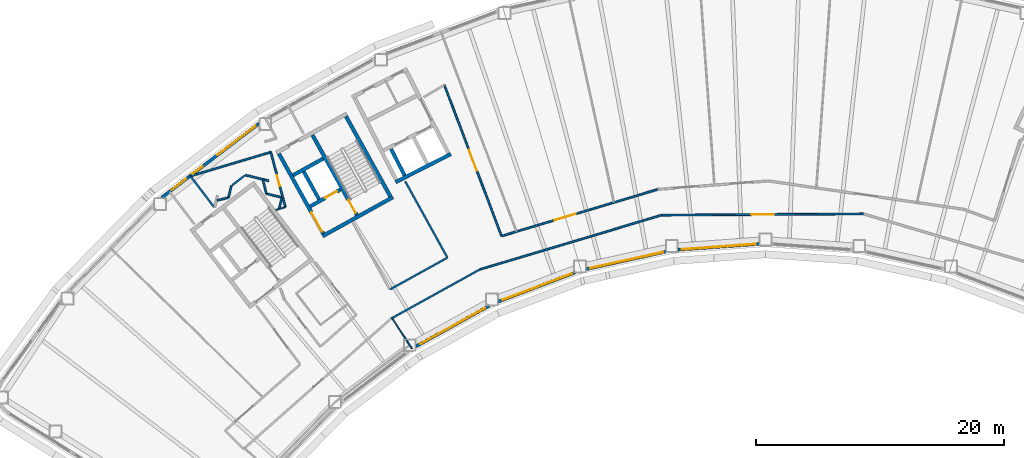
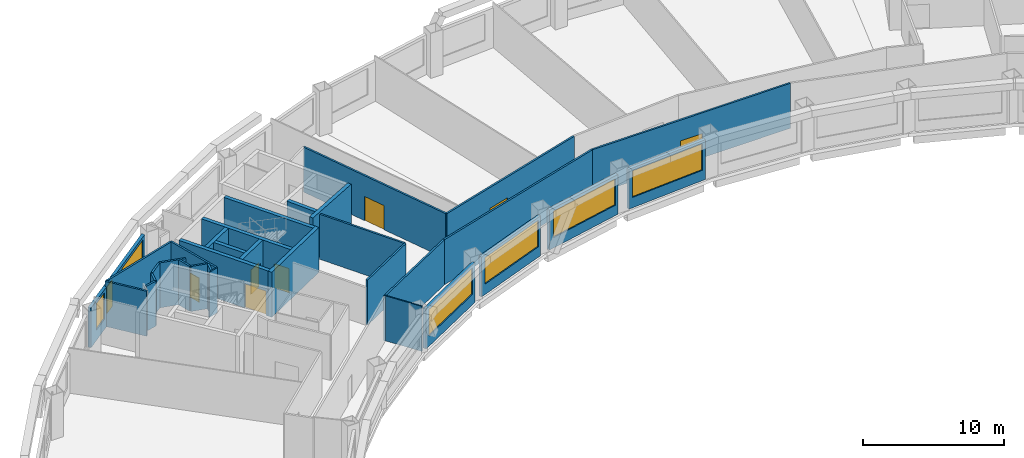
# One storey, part 4 of 11: 33 walls, 7 doors, 7 windows, 14 openings.
"""IFC4 building model written with IfcOpenShell, lengths in metres."""

import ifcopenshell
import ifcopenshell.guid

model = None  # the IFC model being written
_history = None  # IfcOwnerHistory: only IFC2X3 demands one
_inside = {}  # id of a spatial element -> (the spatial element, [elements in it])
_under = {}  # id of a project, library or spatial element -> (it, [spatial elements below it])
_declared = {}  # id of a project -> (the project, [libraries it declares])
_typed = {}  # id of a type object -> (the type object, [elements of that type])
_made_of = {}  # id of a material, layer set ... -> (it, [elements and type objects made of it])


def new_model(schema):
    """Start an empty IFC model of exactly this schema.

    Asked for "IFC4X3", IfcOpenShell would pick the latest addendum, in which some entities
    have other attributes; the version numbers below select the first issue.
    IFC2X3 requires an IfcOwnerHistory on every rooted entity: one is made here for all.
    """
    global model, _history
    if schema == "IFC4X3":
        model = ifcopenshell.file(schema_version=(4, 3, 0, 0))
    else:
        model = ifcopenshell.file(schema=schema)
    _inside.clear()
    _under.clear()
    _declared.clear()
    _typed.clear()
    _made_of.clear()
    _history = None
    if model.schema == "IFC2X3":
        org = make("IfcOrganization", Name="unknown")
        user = make(
            "IfcPersonAndOrganization",
            ThePerson=make("IfcPerson", FamilyName="unknown"),
            TheOrganization=org,
        )
        app = make(
            "IfcApplication",
            ApplicationDeveloper=org,
            Version="unknown",
            ApplicationFullName="unknown",
            ApplicationIdentifier="unknown",
        )
        _history = make(
            "IfcOwnerHistory",
            OwningUser=user,
            OwningApplication=app,
            ChangeAction="ADDED",
            CreationDate=0,
        )
    return model


def make(cls, **values):
    """One entity of the class cls with the attributes given. An attribute that is None is left unset."""
    return model.create_entity(
        cls, **{name: value for name, value in values.items() if value is not None}
    )


def rooted(cls, **values):
    """An entity with a GlobalId (a new one), such as an element, a storey or a relation."""
    return make(cls, GlobalId=ifcopenshell.guid.new(), OwnerHistory=_history, **values)


def si_unit(unit_type, name, prefix=None):
    """IfcSIUnit, for example si_unit("LENGTHUNIT", "METRE", prefix="MILLI")."""
    return make("IfcSIUnit", UnitType=unit_type, Prefix=prefix, Name=name)


def assignment(units):
    """IfcUnitAssignment: the units of a project."""
    return None if units is None else make("IfcUnitAssignment", Units=units)


def point(xyz):
    """IfcCartesianPoint."""
    return None if xyz is None else make("IfcCartesianPoint", Coordinates=xyz)


def direction(xyz):
    """IfcDirection."""
    return None if xyz is None else make("IfcDirection", DirectionRatios=xyz)


def frame(location, z_axis=None, x_axis=None):
    """IfcAxis2Placement3D, a coordinate frame: its origin and axes. An axis left out is left unset."""
    return make(
        "IfcAxis2Placement3D",
        Location=point(location),
        Axis=direction(z_axis),
        RefDirection=direction(x_axis),
    )


def frame_2d(location, x_axis=None):
    """IfcAxis2Placement2D, a coordinate frame in the plane: its origin and x axis."""
    return make(
        "IfcAxis2Placement2D", Location=point(location), RefDirection=direction(x_axis)
    )


def origin():
    """The frame at (0, 0, 0) with its axes left unset."""
    return frame((0.0, 0.0, 0.0))


def place(relative_to, where):
    """IfcLocalPlacement: puts the frame where relative to a parent placement (None: the world)."""
    return make(
        "IfcLocalPlacement", PlacementRelTo=relative_to, RelativePlacement=where
    )


def context(
    kind, dimensions, precision=None, world=None, true_north=None, identifier=None
):
    """IfcGeometricRepresentationContext, for example the 3D "Model" context."""
    return make(
        "IfcGeometricRepresentationContext",
        ContextIdentifier=identifier,
        ContextType=kind,
        CoordinateSpaceDimension=dimensions,
        Precision=precision,
        WorldCoordinateSystem=world,
        TrueNorth=true_north,
    )


def subcontext(parent, identifier, kind, view, scale=None):
    """IfcGeometricRepresentationSubContext, for example "Body" below "Model"."""
    return make(
        "IfcGeometricRepresentationSubContext",
        ContextIdentifier=identifier,
        ContextType=kind,
        ParentContext=parent,
        TargetScale=scale,
        TargetView=view,
    )


def project(units=None, contexts=None):
    """IfcProject with its units and contexts."""
    return rooted(
        "IfcProject",
        Name="project",
        RepresentationContexts=contexts,
        UnitsInContext=assignment(units),
    )


def spatial(cls, under=None, at=None, **own):
    """A site, building, storey or space (cls), placed at a placement, below another one or the project."""
    s = rooted(cls, ObjectPlacement=at, **own)
    if under is not None:
        _under.setdefault(under.id(), (under, []))[1].append(s)
    return s


def profile(cls, at=None, kind="AREA", **sizes):
    """A parametric profile (cls). Its sizes go by their IFC names, for example OverallWidth=200.0."""
    return make(cls, ProfileType=kind, Position=at, **sizes)


def rectangle(**sizes):
    """IfcRectangleProfileDef."""
    return profile("IfcRectangleProfileDef", **sizes)


def extrude(swept, where, along, depth):
    """IfcExtrudedAreaSolid: the profile swept, set in the frame where, extruded along a direction by depth."""
    return make(
        "IfcExtrudedAreaSolid",
        SweptArea=swept,
        Position=where,
        ExtrudedDirection=direction(along),
        Depth=depth,
    )


def shape(context_of_items, identifier, shape_type, items):
    """IfcShapeRepresentation: the items that make up one representation, for example the "Body"."""
    return make(
        "IfcShapeRepresentation",
        ContextOfItems=context_of_items,
        RepresentationIdentifier=identifier,
        RepresentationType=shape_type,
        Items=items,
    )


def material(Name=None, Category=None):
    """IfcMaterial."""
    return make("IfcMaterial", Name=Name, Category=Category)


def layer(
    of_material, thickness, ventilated=None, Name=None, Category=None, Priority=None
):
    """IfcMaterialLayer: one layer of a wall or slab, of a material (None: an air gap)."""
    return make(
        "IfcMaterialLayer",
        Material=of_material,
        LayerThickness=thickness,
        IsVentilated=ventilated,
        Name=Name,
        Category=Category,
        Priority=Priority,
    )


def layer_set(layers, Name=None):
    """IfcMaterialLayerSet."""
    return make("IfcMaterialLayerSet", MaterialLayers=layers, LayerSetName=Name)


def made_of(thing, what):
    """Note that an element or type object is made of a material, layer set ...; save() writes the relation."""
    if what is not None:
        _made_of.setdefault(what.id(), (what, []))[1].append(thing)
    return thing


def type_object(cls, material=None, **own):
    """A type object (cls), such as IfcWallType, which elements share."""
    return made_of(rooted(cls, **own), material)


def element(
    cls,
    number,
    at=None,
    inside=None,
    cuts=None,
    type_object=None,
    material=None,
    context=None,
    identifier="Body",
    shape_type=None,
    held_by="IfcProductDefinitionShape",
    body=None,
    shapes=None,
    **own,
):
    """One element of the class cls, such as IfcWall. Its Tag is "e" and its number.

    at: its placement. inside: the storey or other place that contains it. cuts: it is an
    opening in that element (IfcRelVoidsElement). A single representation is given by context,
    identifier, shape_type and body (its items); several are given by shapes. held_by: the class
    of the entity that holds the representations. save() writes the other relations.
    """
    e = rooted(cls, Tag="e%d" % number, ObjectPlacement=at, **own)
    if body is not None:
        shapes = [shape(context, identifier, shape_type, body)]
    if shapes is not None:
        e.Representation = make(held_by, Representations=shapes)
    if inside is not None:
        _inside.setdefault(inside.id(), (inside, []))[1].append(e)
    if cuts is not None:
        rooted(
            "IfcRelVoidsElement", RelatingBuildingElement=cuts, RelatedOpeningElement=e
        )
    if type_object is not None:
        _typed.setdefault(type_object.id(), (type_object, []))[1].append(e)
    return made_of(e, material)


def fill(opening, filler):
    """IfcRelFillsElement: the door or window that sits in an opening."""
    return rooted(
        "IfcRelFillsElement",
        RelatingOpeningElement=opening,
        RelatedBuildingElement=filler,
    )


def aggregate(whole, parts):
    """IfcRelAggregates: a whole, such as a stair, and the parts it consists of."""
    return rooted("IfcRelAggregates", RelatingObject=whole, RelatedObjects=parts)


def save(model, path):
    """Write the relations noted so far, then the file.

    IfcRelAggregates (storeys below a building ...), IfcRelContainedInSpatialStructure (elements
    in a storey), IfcRelDefinesByType, IfcRelAssociatesMaterial and IfcRelDeclares: one each for
    every whole, place, type object, material and project.
    """
    for whole, parts in _under.values():
        aggregate(whole, parts)
    for where, things in _inside.values():
        rooted(
            "IfcRelContainedInSpatialStructure",
            RelatedElements=things,
            RelatingStructure=where,
        )
    for kind, things in _typed.values():
        rooted("IfcRelDefinesByType", RelatedObjects=things, RelatingType=kind)
    for what, things in _made_of.values():
        rooted("IfcRelAssociatesMaterial", RelatedObjects=things, RelatingMaterial=what)
    for by, libraries in _declared.values():
        rooted("IfcRelDeclares", RelatingContext=by, RelatedDefinitions=libraries)
    model.write(path)


model = new_model("IFC4")

# Units and contexts
model_context = context("Model", 3, precision=1e-05, world=origin(), true_north=direction((0.0, 1.0)))
body_context = subcontext(model_context, "Body", "Model", "MODEL_VIEW")
ifc_project = project(units=[si_unit("LENGTHUNIT", "METRE"), si_unit("AREAUNIT", "SQUARE_METRE"), si_unit("VOLUMEUNIT", "CUBIC_METRE"), si_unit("PLANEANGLEUNIT", "RADIAN"), si_unit("MASSUNIT", "GRAM", prefix="KILO")], contexts=[model_context])

# Site, building, storey
site_placement = place(None, origin())
site = spatial("IfcSite", under=ifc_project, at=site_placement, CompositionType="ELEMENT")
building_placement = place(site_placement, origin())
building = spatial("IfcBuilding", under=site, at=building_placement, Name="Tuul Gate Civic Tower", CompositionType="ELEMENT")
storey_placement = place(building_placement, frame((0.0, 0.0, 159.199951171875)))
storey = spatial("IfcBuildingStorey", under=building, at=storey_placement, Name="Level 36", CompositionType="ELEMENT", Elevation=159.199951171875)

# Wall
ifc_material_1 = material(Name="Concrete C50/60", Category="concrete")
ifc_layer_1 = layer(ifc_material_1, 0.300048828125)
ifc_layer_set_1 = layer_set([ifc_layer_1], Name="Concrete C50/60")
wall_type_1 = type_object("IfcWallType", Name="Core wall C50/60", PredefinedType="SHEAR", material=ifc_layer_set_1)
wall_1_placement = place(storey_placement, frame((-24.711669921875, -8.7158203125, 0.0), z_axis=(0.0, 0.0, 1.0), x_axis=(-0.874629909008, -0.484791215132, 0.0)))
element("IfcWall", 1, at=wall_1_placement, inside=storey, type_object=wall_type_1, Name="Core wall", PredefinedType="SHEAR", context=body_context, shape_type="SweptSolid", body=[
    extrude(rectangle(XDim=6.5, YDim=0.300048828125, at=frame_2d((3.25, 0.0))), origin(), (0.0, 0.0, 1.0), 3.900146484375),
])

# Wall, opening, door
wall_2_placement = place(storey_placement, frame((-28.94580078125, -8.090087890625, 0.0), z_axis=(0.0, 0.0, 1.0), x_axis=(-0.874629840737, -0.484791338301, 0.0)))
wall_2 = element("IfcWall", 2, at=wall_2_placement, inside=storey, type_object=wall_type_1, Name="Core wall", PredefinedType="SHEAR", context=body_context, shape_type="SweptSolid", body=[
    extrude(rectangle(XDim=2.800048828125, YDim=0.300048828125, at=frame_2d((1.39990234375, 0.0))), origin(), (0.0, 0.0, 1.0), 3.900146484375),
])
opening_1_placement = place(wall_2_placement, frame((0.324951171875, 0.0, 0.0)))
opening_1 = element("IfcOpeningElement", 3, at=opening_1_placement, cuts=wall_2, Name="Opening LD-FF-1", PredefinedType="OPENING", context=body_context, shape_type="SweptSolid", body=[
    extrude(rectangle(XDim=1.10009765625, YDim=2.10009765625, at=frame_2d((0.550048828125, 1.050048828125))), frame((0.0, 0.16015625, 0.0), z_axis=(0.0, -1.0, 0.0), x_axis=(1.0, 0.0, 0.0)), (0.0, 0.0, 1.0), 0.320068359375),
])
ifc_material_2 = material(Name="Stainless steel", Category="steel")
door_type_1 = type_object("IfcDoorType", Name="Landing door", OperationType="DOUBLE_DOOR_SLIDING", PredefinedType="DOOR", material=ifc_material_2)
door_1_placement = place(opening_1_placement, origin())
door_1 = element("IfcDoor", 4, at=door_1_placement, inside=storey, type_object=door_type_1, Name="Fire-fighting lift FF-1 landing door", OperationType="DOUBLE_DOOR_SLIDING", OverallHeight=2.10009765625, OverallWidth=1.10009765625, PredefinedType="DOOR", context=body_context, shape_type="SweptSolid", body=[
    extrude(rectangle(XDim=1.10009765625, YDim=2.10009765625, at=frame_2d((0.550048828125, 1.050048828125))), frame((0.0, 0.02490234375, 0.0), z_axis=(0.0, -1.0, 0.0), x_axis=(1.0, 0.0, 0.0)), (0.0, 0.0, 1.0), 0.050048828125),
])
fill(opening_1, door_1)

# Walls
wall_3_placement = place(storey_placement, frame((-30.327392578125, -5.59716796875, 0.0), z_axis=(0.0, 0.0, 1.0), x_axis=(-0.874629840737, -0.484791338301, 0.0)))
element("IfcWall", 5, at=wall_3_placement, inside=storey, type_object=wall_type_1, Name="Core wall", PredefinedType="SHEAR", context=body_context, shape_type="SweptSolid", body=[
    extrude(rectangle(XDim=2.800048828125, YDim=0.300048828125, at=frame_2d((1.39990234375, 0.0))), origin(), (0.0, 0.0, 1.0), 3.900146484375),
])
wall_4_placement = place(storey_placement, frame((-24.91552734375, -8.6572265625, 0.0), z_axis=(0.0, 0.0, 1.0), x_axis=(-0.484777133038, 0.874637714304, 0.0)))
element("IfcWall", 6, at=wall_4_placement, inside=storey, type_object=wall_type_1, Name="Core wall", PredefinedType="SHEAR", context=body_context, shape_type="SweptSolid", body=[
    extrude(rectangle(XDim=7.400146484375, YDim=0.300048828125, at=frame_2d((3.7001953125, 0.0))), origin(), (0.0, 0.0, 1.0), 3.900146484375),
])

# Wall, opening, door
wall_5_placement = place(storey_placement, frame((-27.626953125, -10.16015625, 0.0), z_axis=(0.0, 0.0, 1.0), x_axis=(-0.484751894226, 0.874651702704, 0.0)))
wall_5 = element("IfcWall", 7, at=wall_5_placement, inside=storey, type_object=wall_type_1, Name="Core wall", PredefinedType="SHEAR", context=body_context, shape_type="SweptSolid", body=[
    extrude(rectangle(XDim=7.39990234375, YDim=0.300048828125, at=frame_2d((3.699951171875, 0.0))), origin(), (0.0, 0.0, 1.0), 3.900146484375),
])
opening_2_placement = place(wall_5_placement, frame((0.199951171875, 0.0, 0.0)))
opening_2 = element("IfcOpeningElement", 8, at=opening_2_placement, cuts=wall_5, Name="Opening SD-ST-2", PredefinedType="OPENING", context=body_context, shape_type="SweptSolid", body=[
    extrude(rectangle(XDim=1.199951171875, YDim=2.10009765625, at=frame_2d((0.60009765625, 1.050048828125))), frame((0.0, 0.16015625, 0.0), z_axis=(0.0, -1.0, 0.0), x_axis=(1.0, 0.0, 0.0)), (0.0, 0.0, 1.0), 0.320068359375),
])
ifc_material_3 = material(Name="Steel", Category="steel")
door_type_2 = type_object("IfcDoorType", Name="Stair door", OperationType="NOTDEFINED", PredefinedType="DOOR", material=ifc_material_3)
door_2_placement = place(opening_2_placement, origin())
door_2 = element("IfcDoor", 9, at=door_2_placement, inside=storey, type_object=door_type_2, Name="Stair door ST-2", OperationType="SINGLE_SWING_LEFT", OverallHeight=2.10009765625, OverallWidth=1.199951171875, PredefinedType="DOOR", context=body_context, shape_type="SweptSolid", body=[
    extrude(rectangle(XDim=1.199951171875, YDim=2.10009765625, at=frame_2d((0.60009765625, 1.050048828125))), frame((0.0, 0.02490234375, 0.0), z_axis=(0.0, -1.0, 0.0), x_axis=(1.0, 0.0, 0.0)), (0.0, 0.0, 1.0), 0.050048828125),
])
fill(opening_2, door_2)

# Wall
wall_6_placement = place(storey_placement, frame((-30.680419921875, -8.8798828125, 0.0), z_axis=(0.0, 0.0, 1.0), x_axis=(-0.484724115216, 0.874667097888, 0.0)))
element("IfcWall", 10, at=wall_6_placement, inside=storey, type_object=wall_type_1, Name="Core wall", PredefinedType="SHEAR", context=body_context, shape_type="SweptSolid", body=[
    extrude(rectangle(XDim=2.550048828125, YDim=0.300048828125, at=frame_2d((1.27490234375, 0.0))), origin(), (0.0, 0.0, 1.0), 3.900146484375),
])

# Wall, opening, door
wall_7_placement = place(storey_placement, frame((-30.33837890625, -11.6630859375, 0.0), z_axis=(0.0, 0.0, 1.0), x_axis=(-0.484751894226, 0.874651702704, 0.0)))
wall_7 = element("IfcWall", 11, at=wall_7_placement, inside=storey, type_object=wall_type_1, Name="Core wall", PredefinedType="SHEAR", context=body_context, shape_type="SweptSolid", body=[
    extrude(rectangle(XDim=7.39990234375, YDim=0.300048828125, at=frame_2d((3.699951171875, 0.0))), origin(), (0.0, 0.0, 1.0), 3.900146484375),
])
opening_3_placement = place(wall_7_placement, frame((0.175048828125, 0.0, 0.0)))
opening_3 = element("IfcOpeningElement", 12, at=opening_3_placement, cuts=wall_7, Name="Opening LB-W2-FLOBBY-1", PredefinedType="OPENING", context=body_context, shape_type="SweptSolid", body=[
    extrude(rectangle(XDim=1.800048828125, YDim=2.10009765625, at=frame_2d((0.89990234375, 1.050048828125))), frame((0.0, 0.16015625, 0.0), z_axis=(0.0, -1.0, 0.0), x_axis=(1.0, 0.0, 0.0)), (0.0, 0.0, 1.0), 0.320068359375),
])
ifc_material_4 = material(Name="Steel", Category="steel")
door_type_3 = type_object("IfcDoorType", Name="Lobby door", OperationType="DOUBLE_DOOR_SINGLE_SWING", PredefinedType="DOOR", material=ifc_material_4)
door_3_placement = place(opening_3_placement, frame((1.800048828125, 0.0, 0.0), z_axis=(0.0, 0.0, 1.0), x_axis=(-1.0, 0.0, 0.0)))
door_3 = element("IfcDoor", 13, at=door_3_placement, inside=storey, type_object=door_type_3, Name="Lobby door W2-FLOBBY", OperationType="DOUBLE_DOOR_SINGLE_SWING", OverallHeight=2.10009765625, OverallWidth=1.800048828125, PredefinedType="DOOR", context=body_context, shape_type="SweptSolid", body=[
    extrude(rectangle(XDim=1.800048828125, YDim=2.10009765625, at=frame_2d((0.900146484375, 1.050048828125))), frame((0.0, 0.02490234375, 0.0), z_axis=(0.0, -1.0, 0.0), x_axis=(1.0, 0.0, 0.0)), (0.0, 0.0, 1.0), 0.050048828125),
])
fill(opening_3, door_3)

ifc_material_5 = material(Name="Gypsum board partition")
ifc_layer_2 = layer(ifc_material_5, 0.14990234375)
ifc_layer_set_2 = layer_set([ifc_layer_2], Name="Gypsum board partition")
wall_type_2 = type_object("IfcWallType", Name="Corridor wall P150", PredefinedType="PARTITIONING", material=ifc_layer_set_2)
wall_8_placement = place(storey_placement, frame((-15.919677734375, -11.851318359375, 0.0), z_axis=(0.0, 0.0, 1.0), x_axis=(0.95802895797, 0.286671442055, 0.0)))
wall_8 = element("IfcWall", 14, at=wall_8_placement, inside=storey, type_object=wall_type_2, Name="p023", PredefinedType="PARTITIONING", context=body_context, shape_type="SweptSolid", body=[
    extrude(rectangle(XDim=13.146728515625, YDim=0.14990234375, at=frame_2d((6.5732421875, 0.0))), origin(), (0.0, 0.0, 1.0), 3.900146484375),
])
opening_4_placement = place(wall_8_placement, frame((4.446044921875, 0.0, 0.0)))
opening_4 = element("IfcOpeningElement", 15, at=opening_4_placement, cuts=wall_8, Name="Opening M-D08", PredefinedType="OPENING", context=body_context, shape_type="SweptSolid", body=[
    extrude(rectangle(XDim=1.800048828125, YDim=2.10009765625, at=frame_2d((0.89990234375, 1.050048828125))), frame((0.0, 0.0849609375, 0.0), z_axis=(0.0, -1.0, 0.0), x_axis=(1.0, 0.0, 0.0)), (0.0, 0.0, 1.0), 0.169921875),
])
ifc_material_6 = material(Name="Timber door leaf, double", Category="wood")
door_type_4 = type_object("IfcDoorType", Name="Door D18", OperationType="DOUBLE_DOOR_SINGLE_SWING", PredefinedType="DOOR", material=ifc_material_6)
door_4_placement = place(opening_4_placement, origin())
door_4 = element("IfcDoor", 16, at=door_4_placement, inside=storey, type_object=door_type_4, Name="Door M-D08", OperationType="DOUBLE_DOOR_SINGLE_SWING", OverallHeight=2.10009765625, OverallWidth=1.800048828125, PredefinedType="DOOR", context=body_context, shape_type="SweptSolid", body=[
    extrude(rectangle(XDim=1.800048828125, YDim=2.10009765625, at=frame_2d((0.89990234375, 1.050048828125))), frame((0.0, 0.02490234375, 0.0), z_axis=(0.0, -1.0, 0.0), x_axis=(1.0, 0.0, 0.0)), (0.0, 0.0, 1.0), 0.050048828125),
])
fill(opening_4, door_4)

wall_9_placement = place(storey_placement, frame((-20.558349609375, 0.35009765625, 0.0), z_axis=(0.0, 0.0, 1.0), x_axis=(0.354009888457, -0.935241679394, 0.0)))
wall_9 = element("IfcWall", 17, at=wall_9_placement, inside=storey, type_object=wall_type_2, Name="p025", PredefinedType="PARTITIONING", context=body_context, shape_type="SweptSolid", body=[
    extrude(rectangle(XDim=13.0341796875, YDim=0.14990234375, at=frame_2d((6.51708984375, 0.0))), origin(), (0.0, 0.0, 1.0), 3.900146484375),
])
opening_5_placement = place(wall_9_placement, frame((5.6171875, 0.0, 0.0)))
opening_5 = element("IfcOpeningElement", 18, at=opening_5_placement, cuts=wall_9, Name="Opening M-D09", PredefinedType="OPENING", context=body_context, shape_type="SweptSolid", body=[
    extrude(rectangle(XDim=1.800048828125, YDim=2.10009765625, at=frame_2d((0.89990234375, 1.050048828125))), frame((0.0, 0.0849609375, 0.0), z_axis=(0.0, -1.0, 0.0), x_axis=(1.0, 0.0, 0.0)), (0.0, 0.0, 1.0), 0.169921875),
])
door_5_placement = place(opening_5_placement, origin())
door_5 = element("IfcDoor", 19, at=door_5_placement, inside=storey, type_object=door_type_4, Name="Door M-D09", OperationType="DOUBLE_DOOR_SINGLE_SWING", OverallHeight=2.10009765625, OverallWidth=1.800048828125, PredefinedType="DOOR", context=body_context, shape_type="SweptSolid", body=[
    extrude(rectangle(XDim=1.800048828125, YDim=2.10009765625, at=frame_2d((0.89990234375, 1.050048828125))), frame((0.0, 0.02490234375, 0.0), z_axis=(0.0, -1.0, 0.0), x_axis=(1.0, 0.0, 0.0)), (0.0, 0.0, 1.0), 0.050048828125),
])
fill(opening_5, door_5)

# Walls
wall_10_placement = place(storey_placement, frame((-23.71826171875, -7.438720703125, 0.0), z_axis=(0.0, 0.0, 1.0), x_axis=(0.484048931003, -0.87504093184, 0.0)))
element("IfcWall", 20, at=wall_10_placement, inside=storey, type_object=wall_type_2, Name="p027", PredefinedType="PARTITIONING", context=body_context, shape_type="SweptSolid", body=[
    extrude(rectangle(XDim=7.02587890625, YDim=0.14990234375, at=frame_2d((3.512939453125, 0.0))), origin(), (0.0, 0.0, 1.0), 3.900146484375),
])
wall_11_placement = place(storey_placement, frame((-24.942626953125, -16.166015625, 0.0), z_axis=(0.0, 0.0, 1.0), x_axis=(0.874968135555, 0.484180505352, 0.0)))
element("IfcWall", 21, at=wall_11_placement, inside=storey, type_object=wall_type_2, Name="p028", PredefinedType="PARTITIONING", context=body_context, shape_type="SweptSolid", body=[
    extrude(rectangle(XDim=5.275390625, YDim=0.14990234375, at=frame_2d((2.6376953125, 0.0))), origin(), (0.0, 0.0, 1.0), 3.900146484375),
])
wall_12_placement = place(storey_placement, frame((-33.906005859375, -9.671142578125, 0.0), z_axis=(0.0, 0.0, 1.0), x_axis=(0.23968309313, 0.970851180598, 0.0)))
element("IfcWall", 22, at=wall_12_placement, inside=storey, type_object=wall_type_2, Name="p031", PredefinedType="PARTITIONING", context=body_context, shape_type="SweptSolid", body=[
    extrude(rectangle(XDim=0.906494140625, YDim=0.14990234375, at=frame_2d((0.453125, 0.0))), origin(), (0.0, 0.0, 1.0), 3.900146484375),
])
wall_13_placement = place(storey_placement, frame((-34.923583984375, -8.434326171875, 0.0), z_axis=(0.0, 0.0, 1.0), x_axis=(0.970779178177, -0.239974555355, 0.0)))
element("IfcWall", 23, at=wall_13_placement, inside=storey, type_object=wall_type_2, Name="p033", PredefinedType="PARTITIONING", context=body_context, shape_type="SweptSolid", body=[
    extrude(rectangle(XDim=1.234130859375, YDim=0.14990234375, at=frame_2d((0.6171875, 0.0))), origin(), (0.0, 0.0, 1.0), 3.900146484375),
])
wall_14_placement = place(storey_placement, frame((-34.93798828125, -8.41015625, 0.0), z_axis=(0.0, 0.0, 1.0), x_axis=(-0.244242242557, 0.969714250153, 0.0)))
element("IfcWall", 24, at=wall_14_placement, inside=storey, type_object=wall_type_2, Name="p034", PredefinedType="PARTITIONING", context=body_context, shape_type="SweptSolid", body=[
    extrude(rectangle(XDim=1.110595703125, YDim=0.14990234375, at=frame_2d((0.55517578125, 0.0))), origin(), (0.0, 0.0, 1.0), 3.900146484375),
])
wall_15_placement = place(storey_placement, frame((-36.623046875, -6.93310546875, 0.0), z_axis=(0.0, 0.0, 1.0), x_axis=(0.970856461528, -0.239661701381, 0.0)))
element("IfcWall", 25, at=wall_15_placement, inside=storey, type_object=wall_type_2, Name="p035", PredefinedType="PARTITIONING", context=body_context, shape_type="SweptSolid", body=[
    extrude(rectangle(XDim=1.939697265625, YDim=0.14990234375, at=frame_2d((0.9697265625, 0.0))), origin(), (0.0, 0.0, 1.0), 3.900146484375),
])
wall_16_placement = place(storey_placement, frame((-37.695556640625, -7.74951171875, 0.0), z_axis=(0.0, 0.0, 1.0), x_axis=(0.791948589292, 0.610587775769, 0.0)))
element("IfcWall", 26, at=wall_16_placement, inside=storey, type_object=wall_type_2, Name="p036", PredefinedType="PARTITIONING", context=body_context, shape_type="SweptSolid", body=[
    extrude(rectangle(XDim=1.277587890625, YDim=0.14990234375, at=frame_2d((0.638671875, 0.0))), origin(), (0.0, 0.0, 1.0), 3.900146484375),
])
wall_17_placement = place(storey_placement, frame((-37.990966796875, -8.73681640625, 0.0), z_axis=(0.0, 0.0, 1.0), x_axis=(0.239836272138, 0.970813351045, 0.0)))
element("IfcWall", 27, at=wall_17_placement, inside=storey, type_object=wall_type_2, Name="p037", PredefinedType="PARTITIONING", context=body_context, shape_type="SweptSolid", body=[
    extrude(rectangle(XDim=0.979248046875, YDim=0.14990234375, at=frame_2d((0.48974609375, 0.0))), origin(), (0.0, 0.0, 1.0), 3.900146484375),
])
wall_18_placement = place(storey_placement, frame((-38.92138671875, -8.9794921875, 0.0), z_axis=(0.0, 0.0, 1.0), x_axis=(0.969803270885, 0.243888531465, 0.0)))
element("IfcWall", 28, at=wall_18_placement, inside=storey, type_object=wall_type_2, Name="p038", PredefinedType="PARTITIONING", context=body_context, shape_type="SweptSolid", body=[
    extrude(rectangle(XDim=0.93408203125, YDim=0.14990234375, at=frame_2d((0.467041015625, 0.0))), origin(), (0.0, 0.0, 1.0), 3.900146484375),
])
wall_19_placement = place(storey_placement, frame((-41.085693359375, -6.98828125, 0.0), z_axis=(0.0, 0.0, 1.0), x_axis=(0.605873285969, -0.795561161287, 0.0)))
element("IfcWall", 29, at=wall_19_placement, inside=storey, type_object=wall_type_2, Name="p040", PredefinedType="PARTITIONING", context=body_context, shape_type="SweptSolid", body=[
    extrude(rectangle(XDim=3.20361328125, YDim=0.14990234375, at=frame_2d((1.601806640625, 0.0))), origin(), (0.0, 0.0, 1.0), 3.900146484375),
])

# Wall, opening, door
wall_20_placement = place(storey_placement, frame((-34.57421875, -5.072265625, 0.0), z_axis=(0.0, 0.0, 1.0), x_axis=(0.255677872775, -0.966762031409, 0.0)))
wall_20 = element("IfcWall", 30, at=wall_20_placement, inside=storey, type_object=wall_type_2, Name="p042", PredefinedType="PARTITIONING", context=body_context, shape_type="SweptSolid", body=[
    extrude(rectangle(XDim=4.594970703125, YDim=0.14990234375, at=frame_2d((2.29736328125, 0.0))), origin(), (0.0, 0.0, 1.0), 3.900146484375),
])
opening_6_placement = place(wall_20_placement, frame((1.930908203125, 0.0, 0.0)))
opening_6 = element("IfcOpeningElement", 31, at=opening_6_placement, cuts=wall_20, Name="Opening M-D10", PredefinedType="OPENING", context=body_context, shape_type="SweptSolid", body=[
    extrude(rectangle(XDim=0.89990234375, YDim=2.10009765625, at=frame_2d((0.449951171875, 1.050048828125))), frame((0.0, 0.0849609375, 0.0), z_axis=(0.0, -1.0, 0.0), x_axis=(1.0, 0.0, 0.0)), (0.0, 0.0, 1.0), 0.169921875),
])
ifc_material_7 = material(Name="Timber door leaf", Category="wood")
door_type_5 = type_object("IfcDoorType", Name="Door D09", OperationType="NOTDEFINED", PredefinedType="DOOR", material=ifc_material_7)
door_6_placement = place(opening_6_placement, origin())
door_6 = element("IfcDoor", 32, at=door_6_placement, inside=storey, type_object=door_type_5, Name="Door M-D10", OperationType="SINGLE_SWING_RIGHT", OverallHeight=2.10009765625, OverallWidth=0.89990234375, PredefinedType="DOOR", context=body_context, shape_type="SweptSolid", body=[
    extrude(rectangle(XDim=0.89990234375, YDim=2.10009765625, at=frame_2d((0.449951171875, 1.050048828125))), frame((0.0, 0.02490234375, 0.0), z_axis=(0.0, -1.0, 0.0), x_axis=(1.0, 0.0, 0.0)), (0.0, 0.0, 1.0), 0.050048828125),
])
fill(opening_6, door_6)

wall_21_placement = place(storey_placement, frame((-3.013916015625, -10.1650390625, 0.0), z_axis=(0.0, 0.0, 1.0), x_axis=(0.999981512155, 0.006080735901, 0.0)))
wall_21 = element("IfcWall", 33, at=wall_21_placement, inside=storey, type_object=wall_type_2, Name="p054", PredefinedType="PARTITIONING", context=body_context, shape_type="SweptSolid", body=[
    extrude(rectangle(XDim=16.30078125, YDim=0.14990234375, at=frame_2d((8.150390625, 0.0))), origin(), (0.0, 0.0, 1.0), 3.900146484375),
])
opening_7_placement = place(wall_21_placement, frame((7.25048828125, 0.0, 0.0)))
opening_7 = element("IfcOpeningElement", 34, at=opening_7_placement, cuts=wall_21, Name="Opening M-D13", PredefinedType="OPENING", context=body_context, shape_type="SweptSolid", body=[
    extrude(rectangle(XDim=1.800048828125, YDim=2.10009765625, at=frame_2d((0.89990234375, 1.050048828125))), frame((0.0, 0.0849609375, 0.0), z_axis=(0.0, -1.0, 0.0), x_axis=(1.0, 0.0, 0.0)), (0.0, 0.0, 1.0), 0.169921875),
])
door_7_placement = place(opening_7_placement, frame((1.800048828125, 0.0, 0.0), z_axis=(0.0, 0.0, 1.0), x_axis=(-1.0, 0.0, 0.0)))
door_7 = element("IfcDoor", 35, at=door_7_placement, inside=storey, type_object=door_type_4, Name="Door M-D13", OperationType="DOUBLE_DOOR_SINGLE_SWING", OverallHeight=2.10009765625, OverallWidth=1.800048828125, PredefinedType="DOOR", context=body_context, shape_type="SweptSolid", body=[
    extrude(rectangle(XDim=1.800048828125, YDim=2.10009765625, at=frame_2d((0.900146484375, 1.050048828125))), frame((0.0, 0.02490234375, 0.0), z_axis=(0.0, -1.0, 0.0), x_axis=(1.0, 0.0, 0.0)), (0.0, 0.0, 1.0), 0.050048828125),
])
fill(opening_7, door_7)

# Walls
wall_22_placement = place(storey_placement, frame((-24.854248046875, -18.51708984375, 0.0), z_axis=(0.0, 0.0, 1.0), x_axis=(0.874976152278, 0.484166017958, 0.0)))
element("IfcWall", 36, at=wall_22_placement, inside=storey, type_object=wall_type_2, Name="p057", PredefinedType="PARTITIONING", context=body_context, shape_type="SweptSolid", body=[
    extrude(rectangle(XDim=8.17236328125, YDim=0.14990234375, at=frame_2d((4.086181640625, 0.0))), origin(), (0.0, 0.0, 1.0), 3.900146484375),
])
wall_23_placement = place(storey_placement, frame((-17.70361328125, -14.560302734375, 0.0), z_axis=(0.0, 0.0, 1.0), x_axis=(0.958035068095, 0.286651021804, 0.0)))
element("IfcWall", 37, at=wall_23_placement, inside=storey, type_object=wall_type_2, Name="p058", PredefinedType="PARTITIONING", context=body_context, shape_type="SweptSolid", body=[
    extrude(rectangle(XDim=15.333251953125, YDim=0.14990234375, at=frame_2d((7.66650390625, 0.0))), origin(), (0.0, 0.0, 1.0), 3.900146484375),
])
wall_24_placement = place(storey_placement, frame((-41.0048828125, -7.00048828125, 0.0), z_axis=(0.0, 0.0, 1.0), x_axis=(0.957866311297, 0.287214431535, 0.0)))
element("IfcWall", 38, at=wall_24_placement, inside=storey, type_object=wall_type_2, Name="p063", PredefinedType="PARTITIONING", context=body_context, shape_type="SweptSolid", body=[
    extrude(rectangle(XDim=6.713623046875, YDim=0.14990234375, at=frame_2d((3.35693359375, 0.0))), origin(), (0.0, 0.0, 1.0), 3.900146484375),
])

# Wall, openings, windows
ifc_material_8 = material(Name="Precast concrete C40/50", Category="concrete")
ifc_layer_3 = layer(ifc_material_8, 0.25)
ifc_layer_set_3 = layer_set([ifc_layer_3], Name="Precast concrete C40/50")
wall_type_3 = type_object("IfcWallType", Name="External wall", PredefinedType="STANDARD", material=ifc_layer_set_3)
wall_25_placement = place(storey_placement, frame((-35.528076171875, -2.7626953125, 0.0), z_axis=(0.0, 0.0, 1.0), x_axis=(-0.79560098888, -0.605820985518, 0.0)))
wall_25 = element("IfcWall", 39, at=wall_25_placement, inside=storey, type_object=wall_type_3, Name="External wall", PredefinedType="STANDARD", context=body_context, shape_type="SweptSolid", body=[
    extrude(rectangle(XDim=9.89794921875, YDim=0.25, at=frame_2d((4.948974609375, 0.0))), origin(), (0.0, 0.0, 1.0), 3.449951171875),
])
opening_8_placement = place(wall_25_placement, frame((0.347412109375, 0.0, 0.89990234375)))
opening_8 = element("IfcOpeningElement", 40, at=opening_8_placement, cuts=wall_25, Name="Opening W22", PredefinedType="OPENING", context=body_context, shape_type="SweptSolid", body=[
    extrude(rectangle(XDim=3.85009765625, YDim=2.300048828125, at=frame_2d((1.925048828125, 1.14990234375))), frame((0.0, 0.135009765625, 0.0), z_axis=(0.0, -1.0, 0.0), x_axis=(1.0, 0.0, 0.0)), (0.0, 0.0, 1.0), 0.27001953125),
])
opening_9_placement = place(wall_25_placement, frame((5.73291015625, 0.0, 0.89990234375)))
opening_9 = element("IfcOpeningElement", 41, at=opening_9_placement, cuts=wall_25, Name="Opening W57", PredefinedType="OPENING", context=body_context, shape_type="SweptSolid", body=[
    extrude(rectangle(XDim=1.0, YDim=2.300048828125, at=frame_2d((0.5, 1.14990234375))), frame((0.0, 0.135009765625, 0.0), z_axis=(0.0, -1.0, 0.0), x_axis=(1.0, 0.0, 0.0)), (0.0, 0.0, 1.0), 0.27001953125),
])
opening_10_placement = place(wall_25_placement, frame((7.408935546875, 0.0, 0.89990234375)))
opening_10 = element("IfcOpeningElement", 42, at=opening_10_placement, cuts=wall_25, Name="Opening W47", PredefinedType="OPENING", context=body_context, shape_type="SweptSolid", body=[
    extrude(rectangle(XDim=1.449951171875, YDim=2.300048828125, at=frame_2d((0.72509765625, 1.14990234375))), frame((0.0, 0.135009765625, 0.0), z_axis=(0.0, -1.0, 0.0), x_axis=(1.0, 0.0, 0.0)), (0.0, 0.0, 1.0), 0.27001953125),
])
ifc_material_9 = material(Name="Glass", Category="glass")
window_type_1 = type_object("IfcWindowType", Name="Window 1000 x 2300", PartitioningType="SINGLE_PANEL", PredefinedType="WINDOW", material=ifc_material_9)
window_1_placement = place(opening_9_placement, origin())
window_1 = element("IfcWindow", 43, at=window_1_placement, inside=storey, type_object=window_type_1, Name="Window", OverallHeight=2.300048828125, OverallWidth=1.0, PartitioningType="SINGLE_PANEL", PredefinedType="WINDOW", context=body_context, shape_type="SweptSolid", body=[
    extrude(rectangle(XDim=1.0, YDim=2.300048828125, at=frame_2d((0.5, 1.14990234375))), frame((0.0, 0.030029296875, 0.0), z_axis=(0.0, -1.0, 0.0), x_axis=(1.0, 0.0, 0.0)), (0.0, 0.0, 1.0), 0.06005859375),
])
fill(opening_9, window_1)
ifc_material_10 = material(Name="Glass", Category="glass")
window_type_2 = type_object("IfcWindowType", Name="Window 1450 x 2300", PartitioningType="SINGLE_PANEL", PredefinedType="WINDOW", material=ifc_material_10)
window_2_placement = place(opening_10_placement, origin())
window_2 = element("IfcWindow", 44, at=window_2_placement, inside=storey, type_object=window_type_2, Name="Window", OverallHeight=2.300048828125, OverallWidth=1.449951171875, PartitioningType="SINGLE_PANEL", PredefinedType="WINDOW", context=body_context, shape_type="SweptSolid", body=[
    extrude(rectangle(XDim=1.449951171875, YDim=2.300048828125, at=frame_2d((0.72509765625, 1.14990234375))), frame((0.0, 0.030029296875, 0.0), z_axis=(0.0, -1.0, 0.0), x_axis=(1.0, 0.0, 0.0)), (0.0, 0.0, 1.0), 0.06005859375),
])
fill(opening_10, window_2)
ifc_material_11 = material(Name="Glass", Category="glass")
window_type_3 = type_object("IfcWindowType", Name="Window W22 3850 x 2300", PartitioningType="SINGLE_PANEL", PredefinedType="WINDOW", material=ifc_material_11)
window_3_placement = place(opening_8_placement, origin())
window_3 = element("IfcWindow", 45, at=window_3_placement, inside=storey, type_object=window_type_3, Name="Window", OverallHeight=2.300048828125, OverallWidth=3.85009765625, PartitioningType="SINGLE_PANEL", PredefinedType="WINDOW", context=body_context, shape_type="SweptSolid", body=[
    extrude(rectangle(XDim=3.85009765625, YDim=2.300048828125, at=frame_2d((1.925048828125, 1.14990234375))), frame((0.0, 0.030029296875, 0.0), z_axis=(0.0, -1.0, 0.0), x_axis=(1.0, 0.0, 0.0)), (0.0, 0.0, 1.0), 0.06005859375),
])
fill(opening_8, window_3)

# Wall, opening, window
wall_26_placement = place(storey_placement, frame((-22.85302734375, -20.766845703125, 0.0), z_axis=(0.0, 0.0, 1.0), x_axis=(0.874615488592, 0.484817230628, 0.0)))
wall_26 = element("IfcWall", 46, at=wall_26_placement, inside=storey, type_object=wall_type_3, Name="External wall", PredefinedType="STANDARD", context=body_context, shape_type="SweptSolid", body=[
    extrude(rectangle(XDim=6.7548828125, YDim=0.25, at=frame_2d((3.37744140625, 0.0))), origin(), (0.0, 0.0, 1.0), 3.449951171875),
])
opening_11_placement = place(wall_26_placement, frame((0.40478515625, 0.0, 0.89990234375)))
opening_11 = element("IfcOpeningElement", 47, at=opening_11_placement, cuts=wall_26, Name="Opening W26", PredefinedType="OPENING", context=body_context, shape_type="SweptSolid", body=[
    extrude(rectangle(XDim=6.0, YDim=2.300048828125, at=frame_2d((3.0, 1.14990234375))), frame((0.0, 0.135009765625, 0.0), z_axis=(0.0, -1.0, 0.0), x_axis=(1.0, 0.0, 0.0)), (0.0, 0.0, 1.0), 0.27001953125),
])
ifc_material_12 = material(Name="Glass", Category="glass")
window_type_4 = type_object("IfcWindowType", Name="Window W26 6000 x 2300", PartitioningType="SINGLE_PANEL", PredefinedType="WINDOW", material=ifc_material_12)
window_4_placement = place(opening_11_placement, origin())
window_4 = element("IfcWindow", 48, at=window_4_placement, inside=storey, type_object=window_type_4, Name="Window", OverallHeight=2.300048828125, OverallWidth=6.0, PartitioningType="SINGLE_PANEL", PredefinedType="WINDOW", context=body_context, shape_type="SweptSolid", body=[
    extrude(rectangle(XDim=6.0, YDim=2.300048828125, at=frame_2d((3.0, 1.14990234375))), frame((0.0, 0.030029296875, 0.0), z_axis=(0.0, -1.0, 0.0), x_axis=(1.0, 0.0, 0.0)), (0.0, 0.0, 1.0), 0.06005859375),
])
fill(opening_11, window_4)

wall_27_placement = place(storey_placement, frame((-16.212890625, -17.150146484375, 0.0), z_axis=(0.0, 0.0, 1.0), x_axis=(0.935354811562, 0.353710865662, 0.0)))
wall_27 = element("IfcWall", 49, at=wall_27_placement, inside=storey, type_object=wall_type_3, Name="External wall", PredefinedType="STANDARD", context=body_context, shape_type="SweptSolid", body=[
    extrude(rectangle(XDim=6.624755859375, YDim=0.25, at=frame_2d((3.3125, 0.0))), origin(), (0.0, 0.0, 1.0), 3.449951171875),
])
opening_12_placement = place(wall_27_placement, frame((0.384521484375, 0.0, 0.89990234375)))
opening_12 = element("IfcOpeningElement", 50, at=opening_12_placement, cuts=wall_27, Name="Opening W26", PredefinedType="OPENING", context=body_context, shape_type="SweptSolid", body=[
    extrude(rectangle(XDim=6.0, YDim=2.300048828125, at=frame_2d((3.0, 1.14990234375))), frame((0.0, 0.135009765625, 0.0), z_axis=(0.0, -1.0, 0.0), x_axis=(1.0, 0.0, 0.0)), (0.0, 0.0, 1.0), 0.27001953125),
])
window_5_placement = place(opening_12_placement, origin())
window_5 = element("IfcWindow", 51, at=window_5_placement, inside=storey, type_object=window_type_4, Name="Window", OverallHeight=2.300048828125, OverallWidth=6.0, PartitioningType="SINGLE_PANEL", PredefinedType="WINDOW", context=body_context, shape_type="SweptSolid", body=[
    extrude(rectangle(XDim=6.0, YDim=2.300048828125, at=frame_2d((3.0, 1.14990234375))), frame((0.0, 0.030029296875, 0.0), z_axis=(0.0, -1.0, 0.0), x_axis=(1.0, 0.0, 0.0)), (0.0, 0.0, 1.0), 0.06005859375),
])
fill(opening_12, window_5)

wall_28_placement = place(storey_placement, frame((-9.112060546875, -14.529296875, 0.0), z_axis=(0.0, 0.0, 1.0), x_axis=(0.976557337415, 0.215257442942, 0.0)))
wall_28 = element("IfcWall", 52, at=wall_28_placement, inside=storey, type_object=wall_type_3, Name="External wall", PredefinedType="STANDARD", context=body_context, shape_type="SweptSolid", body=[
    extrude(rectangle(XDim=6.568115234375, YDim=0.25, at=frame_2d((3.2841796875, 0.0))), origin(), (0.0, 0.0, 1.0), 3.449951171875),
])
opening_13_placement = place(wall_28_placement, frame((0.355712890625, 0.0, 0.89990234375)))
opening_13 = element("IfcOpeningElement", 53, at=opening_13_placement, cuts=wall_28, Name="Opening W26", PredefinedType="OPENING", context=body_context, shape_type="SweptSolid", body=[
    extrude(rectangle(XDim=6.0, YDim=2.300048828125, at=frame_2d((3.0, 1.14990234375))), frame((0.0, 0.135009765625, 0.0), z_axis=(0.0, -1.0, 0.0), x_axis=(1.0, 0.0, 0.0)), (0.0, 0.0, 1.0), 0.27001953125),
])
window_6_placement = place(opening_13_placement, origin())
window_6 = element("IfcWindow", 54, at=window_6_placement, inside=storey, type_object=window_type_4, Name="Window", OverallHeight=2.300048828125, OverallWidth=6.0, PartitioningType="SINGLE_PANEL", PredefinedType="WINDOW", context=body_context, shape_type="SweptSolid", body=[
    extrude(rectangle(XDim=6.0, YDim=2.300048828125, at=frame_2d((3.0, 1.14990234375))), frame((0.0, 0.030029296875, 0.0), z_axis=(0.0, -1.0, 0.0), x_axis=(1.0, 0.0, 0.0)), (0.0, 0.0, 1.0), 0.06005859375),
])
fill(opening_13, window_6)

wall_29_placement = place(storey_placement, frame((-1.697998046875, -12.962158203125, 0.0), z_axis=(0.0, 0.0, 1.0), x_axis=(0.997383866909, 0.072287080662, 0.0)))
wall_29 = element("IfcWall", 55, at=wall_29_placement, inside=storey, type_object=wall_type_3, Name="External wall", PredefinedType="STANDARD", context=body_context, shape_type="SweptSolid", body=[
    extrude(rectangle(XDim=6.58935546875, YDim=0.25, at=frame_2d((3.294677734375, 0.0))), origin(), (0.0, 0.0, 1.0), 3.449951171875),
])
opening_14_placement = place(wall_29_placement, frame((0.318115234375, 0.0, 0.89990234375)))
opening_14 = element("IfcOpeningElement", 56, at=opening_14_placement, cuts=wall_29, Name="Opening W26", PredefinedType="OPENING", context=body_context, shape_type="SweptSolid", body=[
    extrude(rectangle(XDim=6.0, YDim=2.300048828125, at=frame_2d((3.0, 1.14990234375))), frame((0.0, 0.135009765625, 0.0), z_axis=(0.0, -1.0, 0.0), x_axis=(1.0, 0.0, 0.0)), (0.0, 0.0, 1.0), 0.27001953125),
])
window_7_placement = place(opening_14_placement, origin())
window_7 = element("IfcWindow", 57, at=window_7_placement, inside=storey, type_object=window_type_4, Name="Window", OverallHeight=2.300048828125, OverallWidth=6.0, PartitioningType="SINGLE_PANEL", PredefinedType="WINDOW", context=body_context, shape_type="SweptSolid", body=[
    extrude(rectangle(XDim=6.0, YDim=2.300048828125, at=frame_2d((3.0, 1.14990234375))), frame((0.0, 0.030029296875, 0.0), z_axis=(0.0, -1.0, 0.0), x_axis=(1.0, 0.0, 0.0)), (0.0, 0.0, 1.0), 0.06005859375),
])
fill(opening_14, window_7)

# Walls
ifc_material_13 = material(Name="Concrete C40/50", Category="concrete")
ifc_layer_4 = layer(ifc_material_13, 0.300048828125)
ifc_layer_set_4 = layer_set([ifc_layer_4], Name="Concrete C40/50")
wall_type_4 = type_object("IfcWallType", Name="Lift shaft wall C40/50", PredefinedType="STANDARD", material=ifc_layer_set_4)
wall_30_placement = place(storey_placement, frame((-20.049072265625, -5.232421875, 0.0), z_axis=(0.0, 0.0, 1.0), x_axis=(-0.891002976909, -0.453997461601, 0.0)))
element("IfcWall", 58, at=wall_30_placement, inside=storey, type_object=wall_type_4, Name="Shaft wall", PredefinedType="STANDARD", context=body_context, shape_type="SweptSolid", body=[
    extrude(rectangle(XDim=5.0, YDim=0.300048828125, at=frame_2d((2.5, 0.0))), origin(), (0.0, 0.0, 1.0), 3.900146484375),
])
wall_31_placement = place(storey_placement, frame((-23.770263671875, -6.960205078125, 0.0), z_axis=(0.0, 0.0, 1.0), x_axis=(-0.45399587725, 0.891003784189, 0.0)))
element("IfcWall", 59, at=wall_31_placement, inside=storey, type_object=wall_type_4, Name="Shaft wall", PredefinedType="STANDARD", context=body_context, shape_type="SweptSolid", body=[
    extrude(rectangle(XDim=2.39990234375, YDim=0.300048828125, at=frame_2d((1.199951171875, 0.0))), origin(), (0.0, 0.0, 1.0), 3.900146484375),
])
ifc_material_14 = material(Name="Gypsum board partition")
ifc_layer_5 = layer(ifc_material_14, 0.10009765625)
ifc_layer_set_5 = layer_set([ifc_layer_5], Name="Gypsum board partition")
wall_type_5 = type_object("IfcWallType", Name="Partition P100", PredefinedType="PARTITIONING", material=ifc_layer_set_5)
wall_32_placement = place(storey_placement, frame((-24.784912109375, -18.478759765625, 0.0), z_axis=(0.0, 0.0, 1.0), x_axis=(0.546711949605, -0.837320753451, 0.0)))
element("IfcWall", 60, at=wall_32_placement, inside=storey, type_object=wall_type_5, Name="p053", PredefinedType="PARTITIONING", context=body_context, shape_type="SweptSolid", body=[
    extrude(rectangle(XDim=2.950439453125, YDim=0.10009765625, at=frame_2d((1.47509765625, 0.0))), origin(), (0.0, 0.0, 1.0), 3.900146484375),
])
wall_33_placement = place(storey_placement, frame((-33.3994140625, -9.514404296875, 0.0), z_axis=(0.0, 0.0, 1.0), x_axis=(-0.955367031285, -0.295421454084, 0.0)))
element("IfcWall", 61, at=wall_33_placement, inside=storey, type_object=wall_type_5, Name="p067", PredefinedType="PARTITIONING", context=body_context, shape_type="SweptSolid", body=[
    extrude(rectangle(XDim=0.80908203125, YDim=0.10009765625, at=frame_2d((0.404541015625, 0.0))), origin(), (0.0, 0.0, 1.0), 3.900146484375),
])

save(model, "model.ifc")
